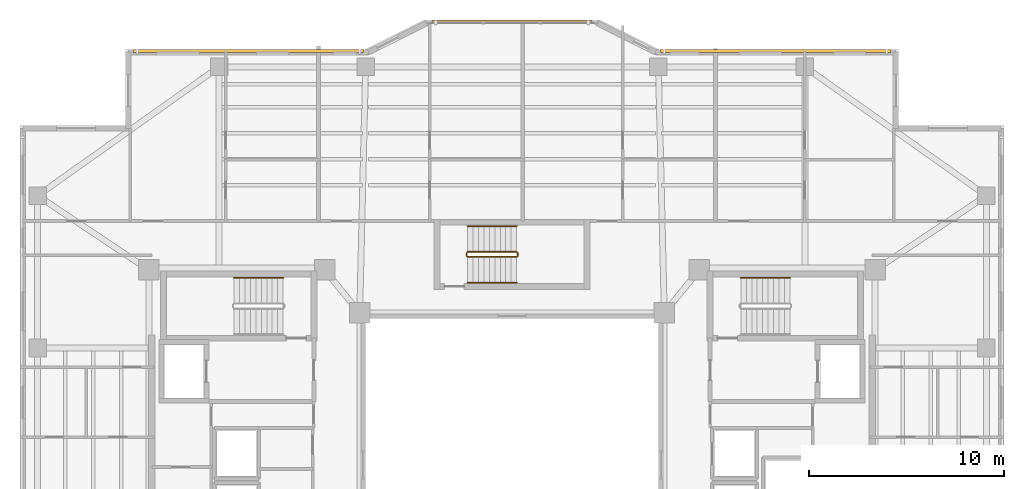
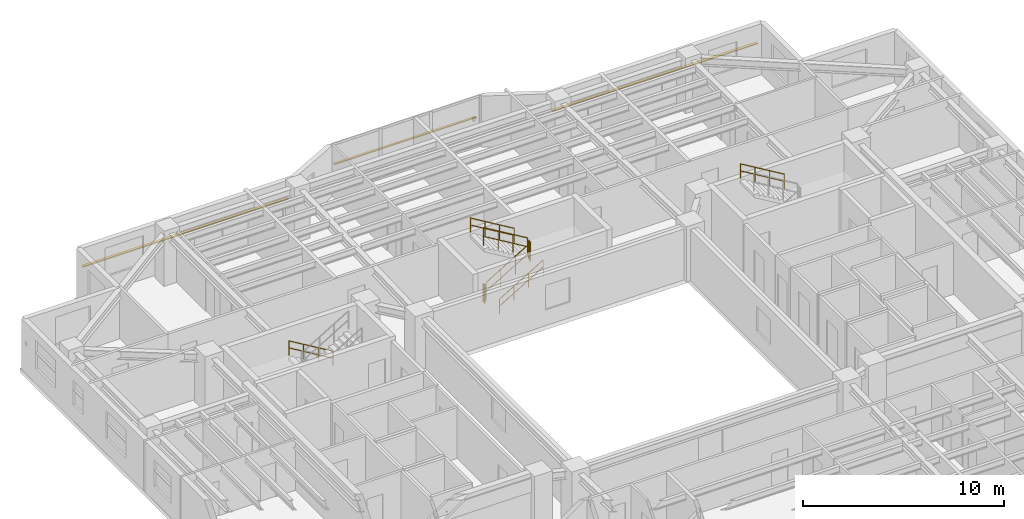
# One storey, part 16 of 16: 8 railings, 3 shading devices.
"""IFC4 building model written with IfcOpenShell, lengths in metres."""

from ifc_helpers import new_model, si_unit, direction, frame, origin, origin_2d, place, context, subcontext, project, spatial, rectangle, circle, extrude, material, material_profile, profile_set, type_object, element, save


model = new_model("IFC4")

# Units and contexts
model_context = context("Model", 3, precision=1e-05, world=origin(), true_north=direction((0.0, 1.0)))
body_context = subcontext(model_context, "Body", "Model", "MODEL_VIEW")
ifc_project = project(units=[si_unit("LENGTHUNIT", "METRE"), si_unit("AREAUNIT", "SQUARE_METRE"), si_unit("VOLUMEUNIT", "CUBIC_METRE"), si_unit("PLANEANGLEUNIT", "RADIAN"), si_unit("MASSUNIT", "GRAM", prefix="KILO")], contexts=[model_context])

# Site, building, storey
site_placement = place(None, origin())
site = spatial("IfcSite", under=ifc_project, at=site_placement, CompositionType="ELEMENT")
building_placement = place(site_placement, origin())
building = spatial("IfcBuilding", under=site, at=building_placement, Name="Tarnavaz Court Tower", CompositionType="ELEMENT")
storey_placement = place(building_placement, frame((0.0, 0.0, 135.949951171875)))
storey = spatial("IfcBuildingStorey", under=building, at=storey_placement, Name="L36", CompositionType="ELEMENT", Elevation=135.949951171875)

# Railings
ifc_material_1 = material(Name="Brushed Stainless Steel", Category="steel")
railing_type_1 = type_object("IfcRailingType", Name="RL-HANDRAIL-900", PredefinedType="HANDRAIL", material=ifc_material_1)
for number, where, name in (
    (1, (-11.719970703125, 9.590087890625, 0.16748046875), "L36 ST-W1 stair handrail 1"),
    (2, (14.239990234375, 9.590087890625, 1.842529296875), "L36 ST-E1 stair handrail 2"),
):
    element("IfcRailing", number, at=place(storey_placement, frame(where)), inside=storey, type_object=railing_type_1, Name=name, PredefinedType="HANDRAIL", context=body_context, shape_type="SweptSolid", body=[
        extrude(circle(Radius=0.02392578125, at=origin_2d()), frame((0.0, 0.0, 0.8759765625), z_axis=(-0.858159760407, 0.0, 0.513382728203), x_axis=(0.0, -1.0, 0.0)), (0.0, 0.0, 1.0), 2.9365234375),
        extrude(circle(Radius=0.02392578125, at=origin_2d()), frame((0.0, 0.0, 0.449951171875), z_axis=(-0.858159760407, 0.0, 0.513382728203), x_axis=(0.0, -1.0, 0.0)), (0.0, 0.0, 1.0), 2.9365234375),
        extrude(circle(Radius=0.02099609375, at=origin_2d()), origin(), (0.0, 0.0, 1.0), 0.851806640625),
        extrude(circle(Radius=0.02099609375, at=origin_2d()), frame((-0.840087890625, 0.0, 0.50244140625)), (0.0, 0.0, 1.0), 0.851806640625),
        extrude(circle(Radius=0.02099609375, at=origin_2d()), frame((-1.679931640625, 0.0, 1.005126953125)), (0.0, 0.0, 1.0), 0.851806640625),
        extrude(circle(Radius=0.02099609375, at=origin_2d()), frame((-2.52001953125, 0.0, 1.507568359375)), (0.0, 0.0, 1.0), 0.851806640625),
    ])
railing_1_placement = place(storey_placement, frame((-2.280029296875, 9.35009765625, 0.16748046875)))
element("IfcRailing", 3, at=railing_1_placement, inside=storey, type_object=railing_type_1, Name="L36 ST-N1 stair handrail 1", PredefinedType="HANDRAIL", context=body_context, shape_type="SweptSolid", body=[
    extrude(circle(Radius=0.02392578125, at=origin_2d()), frame((0.0, 0.0, 0.8759765625), z_axis=(0.858159760407, 0.0, 0.513382728203), x_axis=(0.0, 1.0, 0.0)), (0.0, 0.0, 1.0), 2.9365234375),
    extrude(circle(Radius=0.02392578125, at=origin_2d()), frame((0.0, 0.0, 0.449951171875), z_axis=(0.858159760407, 0.0, 0.513382728203), x_axis=(0.0, 1.0, 0.0)), (0.0, 0.0, 1.0), 2.9365234375),
    extrude(circle(Radius=0.02099609375, at=origin_2d()), origin(), (0.0, 0.0, 1.0), 0.851806640625),
    extrude(circle(Radius=0.02099609375, at=origin_2d()), frame((0.840087890625, 0.0, 0.50244140625)), (0.0, 0.0, 1.0), 0.851806640625),
    extrude(circle(Radius=0.02099609375, at=origin_2d()), frame((1.679931640625, 0.0, 1.005126953125)), (0.0, 0.0, 1.0), 0.851806640625),
    extrude(circle(Radius=0.02099609375, at=origin_2d()), frame((2.52001953125, 0.0, 1.507568359375)), (0.0, 0.0, 1.0), 0.851806640625),
])
railing_2_placement = place(storey_placement, frame((0.239990234375, 12.239990234375, 1.842529296875)))
element("IfcRailing", 4, at=railing_2_placement, inside=storey, type_object=railing_type_1, Name="L36 ST-N1 stair handrail 2", PredefinedType="HANDRAIL", context=body_context, shape_type="SweptSolid", body=[
    extrude(circle(Radius=0.02392578125, at=origin_2d()), frame((0.0, 0.0, 0.8759765625), z_axis=(-0.858159760407, 0.0, 0.513382728203), x_axis=(0.0, -1.0, 0.0)), (0.0, 0.0, 1.0), 2.9365234375),
    extrude(circle(Radius=0.02392578125, at=origin_2d()), frame((0.0, 0.0, 0.449951171875), z_axis=(-0.858159760407, 0.0, 0.513382728203), x_axis=(0.0, -1.0, 0.0)), (0.0, 0.0, 1.0), 2.9365234375),
    extrude(circle(Radius=0.02099609375, at=origin_2d()), origin(), (0.0, 0.0, 1.0), 0.851806640625),
    extrude(circle(Radius=0.02099609375, at=origin_2d()), frame((-0.840087890625, 0.0, 0.50244140625)), (0.0, 0.0, 1.0), 0.851806640625),
    extrude(circle(Radius=0.02099609375, at=origin_2d()), frame((-1.679931640625, 0.0, 1.005126953125)), (0.0, 0.0, 1.0), 0.851806640625),
    extrude(circle(Radius=0.02099609375, at=origin_2d()), frame((-2.52001953125, 0.0, 1.507568359375)), (0.0, 0.0, 1.0), 0.851806640625),
])
ifc_material_2 = material(Name="Galvanized Painted Tubular Steel", Category="steel")
railing_type_2 = type_object("IfcRailingType", Name="RL-STGUARD-1120", PredefinedType="GUARDRAIL", material=ifc_material_2)
railing_3_placement = place(storey_placement, frame((-2.280029296875, 10.669921875, 0.16748046875)))
element("IfcRailing", 5, at=railing_3_placement, inside=storey, type_object=railing_type_2, Name="L36 ST-N1 stair guard 1", PredefinedType="GUARDRAIL", context=body_context, shape_type="SweptSolid", body=[
    extrude(circle(Radius=0.02392578125, at=origin_2d()), frame((0.0, 0.0, 1.09619140625), z_axis=(0.858159760407, 0.0, 0.513382728203), x_axis=(0.0, 1.0, 0.0)), (0.0, 0.0, 1.0), 2.9365234375),
    extrude(circle(Radius=0.02392578125, at=origin_2d()), frame((0.0, 0.0, 0.56005859375), z_axis=(0.858159760407, 0.0, 0.513382728203), x_axis=(0.0, 1.0, 0.0)), (0.0, 0.0, 1.0), 2.9365234375),
    extrude(circle(Radius=0.02099609375, at=origin_2d()), origin(), (0.0, 0.0, 1.0), 1.072021484375),
    extrude(circle(Radius=0.02099609375, at=origin_2d()), frame((0.840087890625, 0.0, 0.50244140625)), (0.0, 0.0, 1.0), 1.072021484375),
    extrude(circle(Radius=0.02099609375, at=origin_2d()), frame((1.679931640625, 0.0, 1.005126953125)), (0.0, 0.0, 1.0), 1.072021484375),
    extrude(circle(Radius=0.02099609375, at=origin_2d()), frame((2.52001953125, 0.0, 1.507568359375)), (0.0, 0.0, 1.0), 1.072021484375),
])
railing_4_placement = place(storey_placement, frame((0.2900390625, 10.719970703125, 1.675048828125)))
element("IfcRailing", 6, at=railing_4_placement, inside=storey, type_object=railing_type_2, Name="L36 ST-N1 stair guard 2", PredefinedType="GUARDRAIL", context=body_context, shape_type="SweptSolid", body=[
    extrude(circle(Radius=0.02392578125, at=origin_2d()), frame((0.0, 0.0, 1.09619140625), z_axis=(0.0, 1.0, 0.0), x_axis=(-1.0, 0.0, 0.0)), (0.0, 0.0, 1.0), 0.150146484375),
    extrude(circle(Radius=0.02392578125, at=origin_2d()), frame((0.0, 0.0, 0.56005859375), z_axis=(0.0, 1.0, 0.0), x_axis=(-1.0, 0.0, 0.0)), (0.0, 0.0, 1.0), 0.150146484375),
    extrude(circle(Radius=0.02099609375, at=origin_2d()), origin(), (0.0, 0.0, 1.0), 1.072021484375),
    extrude(circle(Radius=0.02099609375, at=origin_2d()), frame((0.0, 0.150146484375, 0.0)), (0.0, 0.0, 1.0), 1.072021484375),
])
railing_5_placement = place(storey_placement, frame((0.239990234375, 10.919921875, 1.842529296875)))
element("IfcRailing", 7, at=railing_5_placement, inside=storey, type_object=railing_type_2, Name="L36 ST-N1 stair guard 3", PredefinedType="GUARDRAIL", context=body_context, shape_type="SweptSolid", body=[
    extrude(circle(Radius=0.02392578125, at=origin_2d()), frame((0.0, 0.0, 1.09619140625), z_axis=(-0.858159760407, 0.0, 0.513382728203), x_axis=(0.0, -1.0, 0.0)), (0.0, 0.0, 1.0), 2.9365234375),
    extrude(circle(Radius=0.02392578125, at=origin_2d()), frame((0.0, 0.0, 0.56005859375), z_axis=(-0.858159760407, 0.0, 0.513382728203), x_axis=(0.0, -1.0, 0.0)), (0.0, 0.0, 1.0), 2.9365234375),
    extrude(circle(Radius=0.02099609375, at=origin_2d()), origin(), (0.0, 0.0, 1.0), 1.072021484375),
    extrude(circle(Radius=0.02099609375, at=origin_2d()), frame((-0.840087890625, 0.0, 0.50244140625)), (0.0, 0.0, 1.0), 1.072021484375),
    extrude(circle(Radius=0.02099609375, at=origin_2d()), frame((-1.679931640625, 0.0, 1.005126953125)), (0.0, 0.0, 1.0), 1.072021484375),
    extrude(circle(Radius=0.02099609375, at=origin_2d()), frame((-2.52001953125, 0.0, 1.507568359375)), (0.0, 0.0, 1.0), 1.072021484375),
])
railing_6_placement = place(storey_placement, frame((-2.330078125, 10.719970703125, 0.0)))
element("IfcRailing", 8, at=railing_6_placement, inside=storey, type_object=railing_type_2, Name="L36 ST-N1 stair guard 4", PredefinedType="GUARDRAIL", context=body_context, shape_type="SweptSolid", body=[
    extrude(circle(Radius=0.02392578125, at=origin_2d()), frame((0.0, 0.0, 1.09619140625), z_axis=(0.0, 1.0, 0.0), x_axis=(-1.0, 0.0, 0.0)), (0.0, 0.0, 1.0), 0.150146484375),
    extrude(circle(Radius=0.02392578125, at=origin_2d()), frame((0.0, 0.0, 0.56005859375), z_axis=(0.0, 1.0, 0.0), x_axis=(-1.0, 0.0, 0.0)), (0.0, 0.0, 1.0), 0.150146484375),
    extrude(circle(Radius=0.02099609375, at=origin_2d()), origin(), (0.0, 0.0, 1.0), 1.072021484375),
    extrude(circle(Radius=0.02099609375, at=origin_2d()), frame((0.0, 0.150146484375, 0.0)), (0.0, 0.0, 1.0), 1.072021484375),
])

# Shading devices
ifc_material_3 = material(Name="Kiln-Fired Khorasan Terracotta Ceramic", Category="masonry")
ifc_material_profile_1 = material_profile(ifc_material_3, rectangle(XDim=0.1201171875, YDim=0.06005859375, at=origin_2d()), Name="TC BAGUETTE 120X60")
ifc_profile_set_1 = profile_set([ifc_material_profile_1], Name="Kiln-Fired Khorasan Terracotta Ceramic")
shading_device_type_1 = type_object("IfcShadingDeviceType", Name="SD-BAG-120", PredefinedType="USERDEFINED", material=ifc_profile_set_1)
shading_device_placement = place(storey_placement, frame((-4.10009765625, 22.7099609375, 1.800048828125), z_axis=(1.0, 0.0, 0.0), x_axis=(0.0, 1.0, 0.0)))
element("IfcShadingDevice", 9, at=shading_device_placement, inside=storey, type_object=shading_device_type_1, Name="L36 Terracotta Baguette Screen PBG7", ObjectType="BAGUETTE", PredefinedType="USERDEFINED", context=body_context, shape_type="SweptSolid", body=[
    extrude(rectangle(XDim=0.1201171875, YDim=0.06005859375, at=origin_2d()), origin(), (0.0, 0.0, 1.0), 8.2001953125),
])
ifc_material_profile_2 = material_profile(ifc_material_3, rectangle(XDim=0.14990234375, YDim=0.06494140625, at=origin_2d()), Name="TC BAGUETTE 150X65")
ifc_profile_set_2 = profile_set([ifc_material_profile_2], Name="Kiln-Fired Khorasan Terracotta Ceramic")
shading_device_type_2 = type_object("IfcShadingDeviceType", Name="SD-BAG-150", PredefinedType="USERDEFINED", material=ifc_profile_set_2)
for number, where, z_axis, x_axis, name in (
    (10, (-19.39990234375, 21.2099609375, 1.85009765625), (1.0, 0.0, 0.0), (0.0, 1.0, 0.0), "L36 Terracotta Baguette Screen FBG05"),
    (11, (7.60009765625, 21.2099609375, 1.85009765625), (1.0, 0.0, 0.0), (0.0, 1.0, 0.0), "L36 Terracotta Baguette Screen FBG09"),
):
    element("IfcShadingDevice", number, at=place(storey_placement, frame(where, z_axis=z_axis, x_axis=x_axis)), inside=storey, type_object=shading_device_type_2, Name=name, ObjectType="BAGUETTE", PredefinedType="USERDEFINED", context=body_context, shape_type="SweptSolid", body=[
        extrude(rectangle(XDim=0.14990234375, YDim=0.06494140625, at=origin_2d()), origin(), (0.0, 0.0, 1.0), 11.7998046875),
    ])

save(model, "model.ifc")
